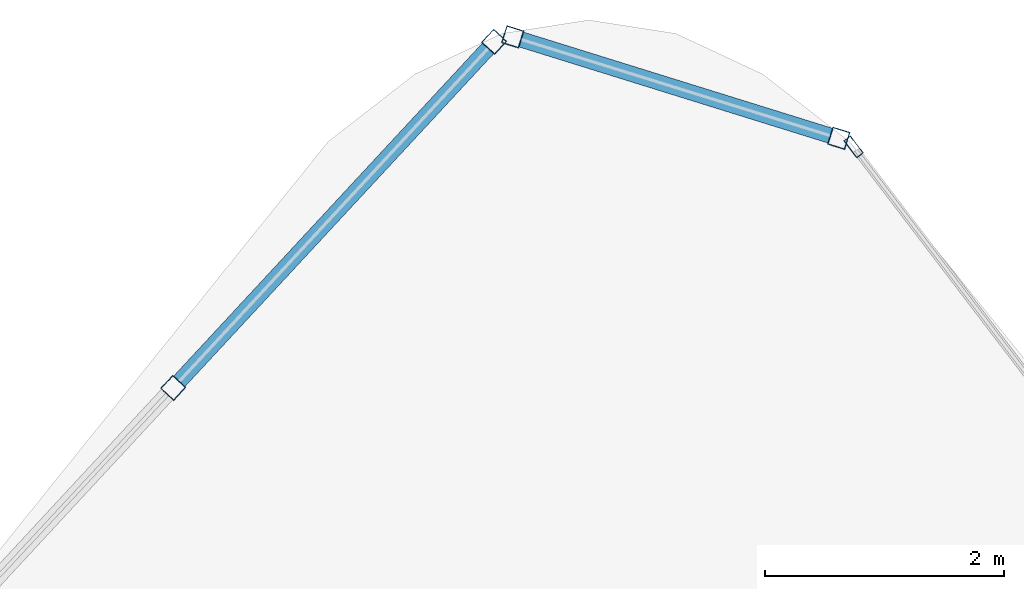
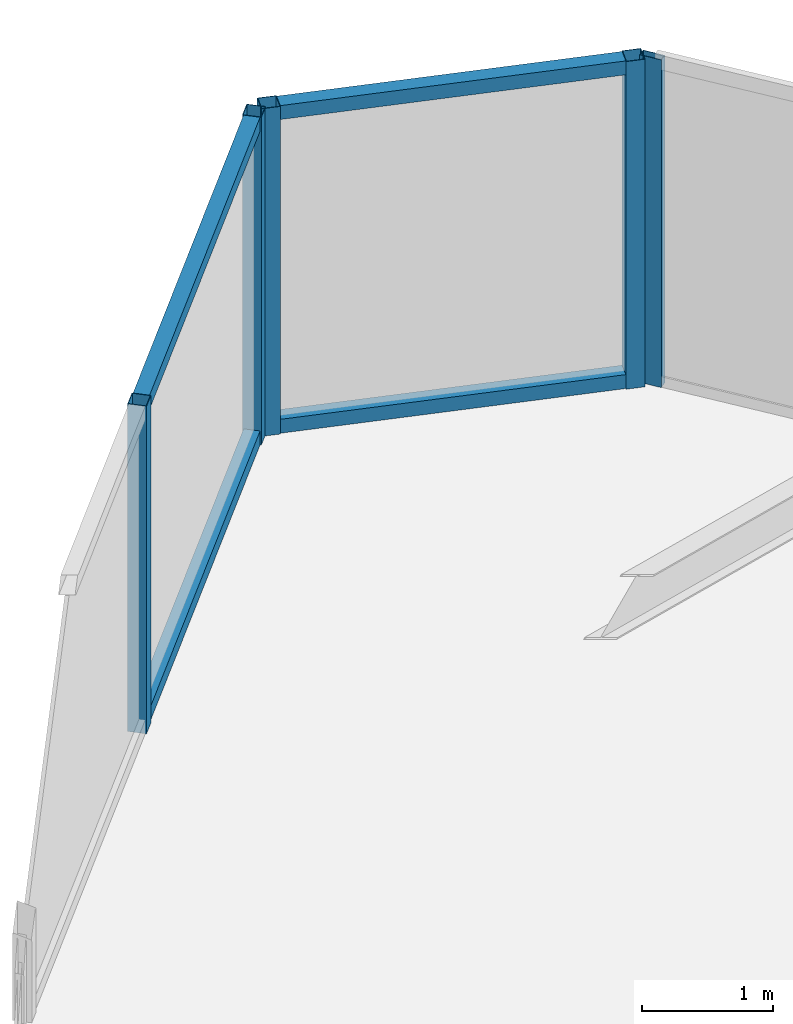
# One storey, part 27 of 38: 9 members, 3 elements without a shape of their own.
"""IFC4 building model written with IfcOpenShell, lengths in metres."""

from ifc_helpers import new_model, si_unit, direction, frame, origin, origin_2d, place, context, subcontext, project, spatial, hollow_rectangle, extrude, material, layer, layer_set, material_profile, profile_set, type_object, element, aggregate, save


model = new_model("IFC4")

# Units and contexts
model_context = context("Model", 3, precision=1e-05, world=origin(), true_north=direction((0.0, 1.0)))
body_context = subcontext(model_context, "Body", "Model", "MODEL_VIEW")
ifc_project = project(units=[si_unit("LENGTHUNIT", "METRE"), si_unit("AREAUNIT", "SQUARE_METRE"), si_unit("VOLUMEUNIT", "CUBIC_METRE"), si_unit("PLANEANGLEUNIT", "RADIAN"), si_unit("MASSUNIT", "GRAM", prefix="KILO")], contexts=[model_context])

# Site, building, storey
site_placement = place(None, origin())
site = spatial("IfcSite", under=ifc_project, at=site_placement, CompositionType="ELEMENT")
building_placement = place(site_placement, origin())
building = spatial("IfcBuilding", under=site, at=building_placement, Name="Orvanel Arch Residences", CompositionType="ELEMENT")
storey_placement = place(building_placement, frame((0.0, 0.0, 46.699951171875)))
storey = spatial("IfcBuildingStorey", under=building, at=storey_placement, Name="L12", CompositionType="ELEMENT", Elevation=46.699951171875)

# Curtain wall, members
ifc_material = material(Name="Bronze-anodised aluminium AA6063-T6", Category="aluminium")
ifc_layer_1 = layer(ifc_material, 0.18994140625)
ifc_layer_set_1 = layer_set([ifc_layer_1], Name="Bronze-anodised aluminium AA6063-T6")
curtain_wall_type_1 = type_object("IfcCurtainWallType", Name="CW5-CRN-SYS", PredefinedType="NOTDEFINED", material=ifc_layer_set_1)
curtain_wall_1_placement = place(storey_placement, origin())
curtain_wall_1 = element("IfcCurtainWall", 1, at=curtain_wall_1_placement, inside=storey, type_object=curtain_wall_type_1, Name="L12 CW5-CRN-SYS Unitised Curtain Wall", PredefinedType="NOTDEFINED")
ifc_material_profile_1 = material_profile(ifc_material, hollow_rectangle(XDim=0.14990234375, YDim=0.14990234375, WallThickness=0.0048828125, at=origin_2d()), Name="ALU150x150x5")
ifc_profile_set_1 = profile_set([ifc_material_profile_1], Name="Bronze-anodised aluminium AA6063-T6")
member_type_1 = type_object("IfcMemberType", Name="MUL-150x150", PredefinedType="MULLION", material=ifc_profile_set_1)
member_1_placement = place(storey_placement, frame((35.093505859375, 51.197265625, 0.0), z_axis=(0.0, 0.0, 1.0), x_axis=(-0.297026162506, -0.954869341212, 0.0)))
member_1 = element("IfcMember", 2, at=member_1_placement, type_object=member_type_1, Name="CW-S5 mullion 1", PredefinedType="MULLION", context=body_context, shape_type="SweptSolid", body=[
    extrude(hollow_rectangle(XDim=0.14990234375, YDim=0.14990234375, WallThickness=0.0048828125, at=origin_2d()), origin(), (0.0, 0.0, 1.0), 3.06005859375),
])
member_2_placement = place(storey_placement, frame((32.362548828125, 52.046630859375, 0.0), z_axis=(0.0, 0.0, 1.0), x_axis=(-0.297026162506, -0.954869341212, 0.0)))
member_2 = element("IfcMember", 3, at=member_2_placement, type_object=member_type_1, Name="CW-S5 mullion 2", PredefinedType="MULLION", context=body_context, shape_type="SweptSolid", body=[
    extrude(hollow_rectangle(XDim=0.14990234375, YDim=0.14990234375, WallThickness=0.0048828125, at=origin_2d()), origin(), (0.0, 0.0, 1.0), 3.06005859375),
])

curtain_wall_2_placement = place(storey_placement, origin())
curtain_wall_2 = element("IfcCurtainWall", 4, at=curtain_wall_2_placement, inside=storey, type_object=curtain_wall_type_1, Name="L12 CW5-CRN-SYS Unitised Curtain Wall", PredefinedType="NOTDEFINED")
member_3_placement = place(storey_placement, frame((32.20703125, 52.005126953125, 0.0), z_axis=(0.0, 0.0, 1.0), x_axis=(0.733235518375, -0.679974760262, 0.0)))
member_3 = element("IfcMember", 5, at=member_3_placement, type_object=member_type_1, Name="CW-S5 mullion 1", PredefinedType="MULLION", context=body_context, shape_type="SweptSolid", body=[
    extrude(hollow_rectangle(XDim=0.14990234375, YDim=0.14990234375, WallThickness=0.0048828125, at=origin_2d()), origin(), (0.0, 0.0, 1.0), 3.06005859375),
])
member_4_placement = place(storey_placement, frame((29.51953125, 49.10693359375, 0.0), z_axis=(0.0, 0.0, 1.0), x_axis=(0.733235518375, -0.679974760262, 0.0)))
member_4 = element("IfcMember", 6, at=member_4_placement, type_object=member_type_1, Name="CW-S5 mullion 2", PredefinedType="MULLION", context=body_context, shape_type="SweptSolid", body=[
    extrude(hollow_rectangle(XDim=0.14990234375, YDim=0.14990234375, WallThickness=0.0048828125, at=origin_2d()), origin(), (0.0, 0.0, 1.0), 3.06005859375),
])

# Curtain wall, member
ifc_layer_2 = layer(ifc_material, 0.179931640625)
ifc_layer_set_2 = layer_set([ifc_layer_2], Name="Bronze-anodised aluminium AA6063-T6")
curtain_wall_type_2 = type_object("IfcCurtainWallType", Name="CW2-LOW-SYS", PredefinedType="NOTDEFINED", material=ifc_layer_set_2)
curtain_wall_3_placement = place(storey_placement, origin())
curtain_wall_3 = element("IfcCurtainWall", 7, at=curtain_wall_3_placement, inside=storey, type_object=curtain_wall_type_2, Name="L12 CW2-LOW-SYS Unitised Curtain Wall", PredefinedType="NOTDEFINED")
ifc_material_profile_2 = material_profile(ifc_material, hollow_rectangle(XDim=0.070068359375, YDim=0.179931640625, WallThickness=0.00439453125, at=origin_2d()), Name="ALU180x70x4.5")
ifc_profile_set_2 = profile_set([ifc_material_profile_2], Name="Bronze-anodised aluminium AA6063-T6")
member_type_2 = type_object("IfcMemberType", Name="MUL-180x70", PredefinedType="MULLION", material=ifc_profile_set_2)
member_5_placement = place(storey_placement, frame((35.21728515625, 51.125244140625, 0.0), z_axis=(0.0, 0.0, 1.0), x_axis=(-0.795336402585, -0.606168299009, 0.0)))
member_5 = element("IfcMember", 8, at=member_5_placement, type_object=member_type_2, Name="CW-S2 mullion 4", PredefinedType="MULLION", context=body_context, shape_type="SweptSolid", body=[
    extrude(hollow_rectangle(XDim=0.070068359375, YDim=0.179931640625, WallThickness=0.00439453125, at=origin_2d()), origin(), (0.0, 0.0, 1.0), 3.06005859375),
])
aggregate(curtain_wall_3, [member_5])

# Member
ifc_material_profile_3 = material_profile(ifc_material, hollow_rectangle(XDim=0.1298828125, YDim=0.1298828125, WallThickness=0.00439453125, at=origin_2d()), Name="ALU130x130x4.5")
ifc_profile_set_3 = profile_set([ifc_material_profile_3], Name="Bronze-anodised aluminium AA6063-T6")
member_type_3 = type_object("IfcMemberType", Name="TRN-130x130", PredefinedType="USERDEFINED", material=ifc_profile_set_3)
member_6_placement = place(storey_placement, frame((35.021728515625, 51.219482421875, 0.06494140625), z_axis=(-0.954860751763, 0.297053774161, 0.0), x_axis=(-0.297053774161, -0.954860751763, 0.0)))
member_6 = element("IfcMember", 9, at=member_6_placement, type_object=member_type_3, Name="CW-S5 transom 1.1", ObjectType="TRANSOM", PredefinedType="USERDEFINED", context=body_context, shape_type="SweptSolid", body=[
    extrude(hollow_rectangle(XDim=0.1298828125, YDim=0.1298828125, WallThickness=0.00439453125, at=origin_2d()), origin(), (0.0, 0.0, 1.0), 2.709716796875),
])

member_7_placement = place(storey_placement, frame((35.021728515625, 51.219482421875, 2.9951171875), z_axis=(-0.954860751763, 0.297053774161, 0.0), x_axis=(-0.297053774161, -0.954860751763, 0.0)))
member_7 = element("IfcMember", 10, at=member_7_placement, type_object=member_type_3, Name="CW-S5 transom 1.2", ObjectType="TRANSOM", PredefinedType="USERDEFINED", context=body_context, shape_type="SweptSolid", body=[
    extrude(hollow_rectangle(XDim=0.1298828125, YDim=0.1298828125, WallThickness=0.00439453125, at=origin_2d()), origin(), (0.0, 0.0, 1.0), 2.709716796875),
])

aggregate(curtain_wall_1, [member_1, member_2, member_6, member_7])

member_8_placement = place(storey_placement, frame((32.156005859375, 51.949951171875, 0.06494140625), z_axis=(-0.679990407746, -0.733221007182, 0.0), x_axis=(0.733221007182, -0.679990407746, 0.0)))
member_8 = element("IfcMember", 11, at=member_8_placement, type_object=member_type_3, Name="CW-S5 transom 1.1", ObjectType="TRANSOM", PredefinedType="USERDEFINED", context=body_context, shape_type="SweptSolid", body=[
    extrude(hollow_rectangle(XDim=0.1298828125, YDim=0.1298828125, WallThickness=0.00439453125, at=origin_2d()), origin(), (0.0, 0.0, 1.0), 3.80224609375),
])

member_9_placement = place(storey_placement, frame((32.156005859375, 51.949951171875, 2.9951171875), z_axis=(-0.679990407746, -0.733221007182, 0.0), x_axis=(0.733221007182, -0.679990407746, 0.0)))
member_9 = element("IfcMember", 12, at=member_9_placement, type_object=member_type_3, Name="CW-S5 transom 1.2", ObjectType="TRANSOM", PredefinedType="USERDEFINED", context=body_context, shape_type="SweptSolid", body=[
    extrude(hollow_rectangle(XDim=0.1298828125, YDim=0.1298828125, WallThickness=0.00439453125, at=origin_2d()), origin(), (0.0, 0.0, 1.0), 3.80224609375),
])

aggregate(curtain_wall_2, [member_3, member_4, member_8, member_9])

save(model, "model.ifc")
